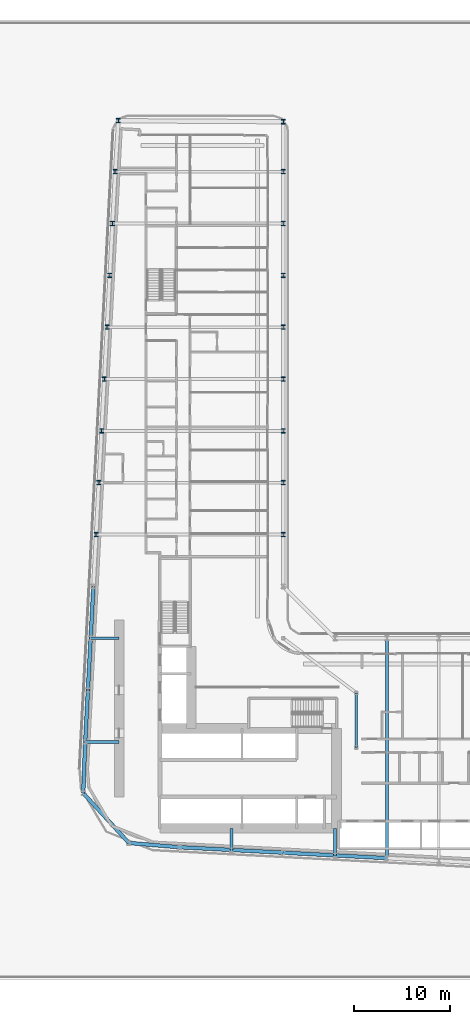
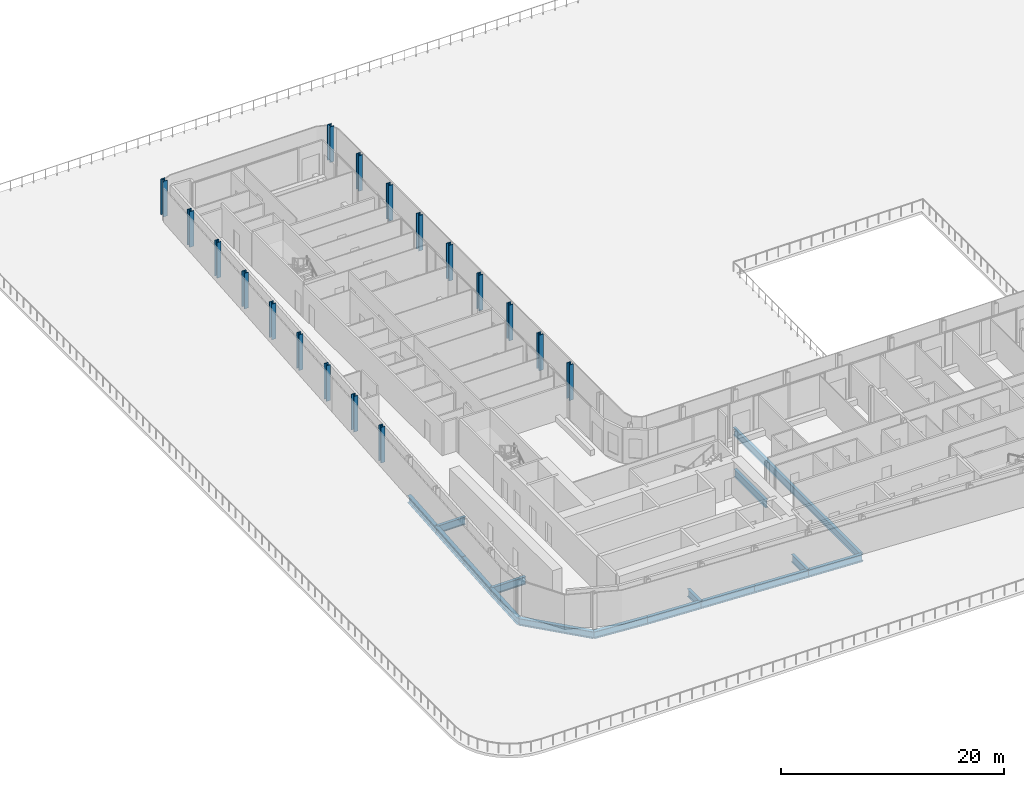
# One storey, part 3 of 27: 18 columns, 16 beams.
"""IFC4 building model written with IfcOpenShell, lengths in metres."""

from ifc_helpers import new_model, si_unit, direction, frame, origin, origin_2d, place, context, subcontext, project, spatial, i_section, extrude, material, material_profile, profile_set, type_object, element, save


model = new_model("IFC4")

# Units and contexts
model_context = context("Model", 3, precision=1e-05, world=origin(), true_north=direction((0.0, 1.0)))
body_context = subcontext(model_context, "Body", "Model", "MODEL_VIEW")
ifc_project = project(units=[si_unit("LENGTHUNIT", "METRE"), si_unit("AREAUNIT", "SQUARE_METRE"), si_unit("VOLUMEUNIT", "CUBIC_METRE"), si_unit("PLANEANGLEUNIT", "RADIAN"), si_unit("MASSUNIT", "GRAM", prefix="KILO")], contexts=[model_context])

# Site, building, storey
site_placement = place(None, origin())
site = spatial("IfcSite", under=ifc_project, at=site_placement, CompositionType="ELEMENT")
building_placement = place(site_placement, origin())
building = spatial("IfcBuilding", under=site, at=building_placement, Name="Kheshtan School and Residences Tower", CompositionType="ELEMENT")
storey_placement = place(building_placement, frame((0.0, 0.0, 30.5)))
storey = spatial("IfcBuildingStorey", under=building, at=storey_placement, Name="L06", CompositionType="ELEMENT", Elevation=30.5)

# Columns
ifc_material = material(Name="Steel ASTM A992 Grade 50", Category="steel")
ifc_material_profile_1 = material_profile(ifc_material, i_section(OverallWidth=0.424072265625, OverallDepth=0.47412109375, WebThickness=0.047607421875, FlangeThickness=0.0771484375, FilletRadius=0.01416015625, at=origin_2d()), Name="W360x634")
ifc_profile_set_1 = profile_set([ifc_material_profile_1], Name="Steel ASTM A992 Grade 50")
column_type = type_object("IfcColumnType", Name="Column C1 W360x634 ASTM A992 Grade 50", PredefinedType="COLUMN", material=ifc_profile_set_1)
for number, where, z_axis, x_axis, name in (
    (1, (28.10595703125, 56.39990234375, 0.0), (0.0, 0.0, 1.0), (1.0, 0.0, 0.0), "Column C080"),
    (2, (47.60009765625, 56.39990234375, 0.0), (0.0, 0.0, 1.0), (1.0, 0.0, 0.0), "Column C081"),
    (3, (28.389892578125, 61.800048828125, 0.0), (0.0, 0.0, 1.0), (1.0, 0.0, 0.0), "Column C082"),
    (4, (47.60009765625, 61.800048828125, 0.0), (0.0, 0.0, 1.0), (1.0, 0.0, 0.0), "Column C083"),
    (5, (28.674072265625, 67.199951171875, 0.0), (0.0, 0.0, 1.0), (1.0, 0.0, 0.0), "Column C084"),
    (6, (47.60009765625, 67.199951171875, 0.0), (0.0, 0.0, 1.0), (1.0, 0.0, 0.0), "Column C085"),
    (7, (28.9580078125, 72.60009765625, 0.0), (0.0, 0.0, 1.0), (1.0, 0.0, 0.0), "Column C086"),
    (8, (47.60009765625, 72.60009765625, 0.0), (0.0, 0.0, 1.0), (1.0, 0.0, 0.0), "Column C087"),
    (9, (29.242919921875, 78.0, 0.0), (0.0, 0.0, 1.0), (1.0, 0.0, 0.0), "Column C088"),
    (10, (47.60009765625, 78.0, 0.0), (0.0, 0.0, 1.0), (1.0, 0.0, 0.0), "Column C089"),
    (11, (29.527099609375, 83.39990234375, 0.0), (0.0, 0.0, 1.0), (1.0, 0.0, 0.0), "Column C090"),
    (12, (47.60009765625, 83.39990234375, 0.0), (0.0, 0.0, 1.0), (1.0, 0.0, 0.0), "Column C091"),
    (13, (29.81103515625, 88.800048828125, 0.0), (0.0, 0.0, 1.0), (1.0, 0.0, 0.0), "Column C098"),
    (14, (47.60009765625, 88.800048828125, 0.0), (0.0, 0.0, 1.0), (1.0, 0.0, 0.0), "Column C099"),
    (15, (30.094970703125, 94.199951171875, 0.0), (0.0, 0.0, 1.0), (1.0, 0.0, 0.0), "Column C106"),
    (16, (47.60009765625, 94.199951171875, 0.0), (0.0, 0.0, 1.0), (1.0, 0.0, 0.0), "Column C107"),
    (17, (47.614013671875, 99.39990234375, 0.0), (0.0, 0.0, 1.0), (1.0, 0.0, 0.0), "Column C109"),
    (18, (30.41796875, 99.508056640625, 0.0), (0.0, 0.0, 1.0), (1.0, 0.0, 0.0), "Column C119"),
):
    element("IfcColumn", number, at=place(storey_placement, frame(where, z_axis=z_axis, x_axis=x_axis)), inside=storey, type_object=column_type, Name=name, PredefinedType="COLUMN", context=body_context, shape_type="SweptSolid", body=[
        extrude(i_section(OverallWidth=0.424072265625, OverallDepth=0.47412109375, WebThickness=0.047607421875, FlangeThickness=0.0771484375, FilletRadius=0.01416015625, at=origin_2d()), origin(), (0.0, 0.0, 1.0), 3.89990234375),
    ])

# Beams
ifc_material_profile_2 = material_profile(ifc_material, i_section(OverallWidth=0.2919921875, OverallDepth=0.8349609375, WebThickness=0.013916015625, FlangeThickness=0.018798828125, FilletRadius=0.016845703125, at=origin_2d()), Name="W840x176")
ifc_profile_set_2 = profile_set([ifc_material_profile_2], Name="Steel ASTM A992 Grade 50")
beam_type_1 = type_object("IfcBeamType", Name="Beam FB8 W840x176 ASTM A992 Grade 50", PredefinedType="BEAM", material=ifc_profile_set_2)
beam_1_placement = place(storey_placement, frame((58.39990234375, 45.60009765625, -0.717529296875), z_axis=(0.0, -1.0, 0.0), x_axis=(1.0, 0.0, 0.0)))
element("IfcBeam", 19, at=beam_1_placement, inside=storey, type_object=beam_type_1, Name="Floor beam C062", PredefinedType="BEAM", context=body_context, shape_type="SweptSolid", body=[
    extrude(i_section(OverallWidth=0.2919921875, OverallDepth=0.8349609375, WebThickness=0.013916015625, FlangeThickness=0.018798828125, FilletRadius=0.016845703125, at=origin_2d()), origin(), (0.0, 0.0, 1.0), 22.905029296875),
])
beam_2_placement = place(storey_placement, frame((53.0, 22.97998046875, -0.717529296875), z_axis=(0.0, 1.0, 0.0), x_axis=(-1.0, 0.0, 0.0)))
element("IfcBeam", 20, at=beam_2_placement, inside=storey, type_object=beam_type_1, Name="Floor beam C019", PredefinedType="BEAM", context=body_context, shape_type="SweptSolid", body=[
    extrude(i_section(OverallWidth=0.2919921875, OverallDepth=0.8349609375, WebThickness=0.013916015625, FlangeThickness=0.018798828125, FilletRadius=0.016845703125, at=origin_2d()), origin(), (0.0, 0.0, 1.0), 2.820068359375),
])
beam_3_placement = place(storey_placement, frame((42.199951171875, 23.548095703125, -0.717529296875), z_axis=(0.0, 1.0, 0.0), x_axis=(-1.0, 0.0, 0.0)))
element("IfcBeam", 21, at=beam_3_placement, inside=storey, type_object=beam_type_1, Name="Floor beam C021", PredefinedType="BEAM", context=body_context, shape_type="SweptSolid", body=[
    extrude(i_section(OverallWidth=0.2919921875, OverallDepth=0.8349609375, WebThickness=0.013916015625, FlangeThickness=0.018798828125, FilletRadius=0.016845703125, at=origin_2d()), origin(), (0.0, 0.0, 1.0), 2.251953125),
])
beam_4_placement = place(storey_placement, frame((26.968994140625, 34.800048828125, -0.717529296875), z_axis=(1.0, 0.0, 0.0), x_axis=(0.0, 1.0, 0.0)))
element("IfcBeam", 22, at=beam_4_placement, inside=storey, type_object=beam_type_1, Name="Floor beam C052", PredefinedType="BEAM", context=body_context, shape_type="SweptSolid", body=[
    extrude(i_section(OverallWidth=0.2919921875, OverallDepth=0.8349609375, WebThickness=0.013916015625, FlangeThickness=0.018798828125, FilletRadius=0.016845703125, at=origin_2d()), origin(), (0.0, 0.0, 1.0), 3.531005859375),
])
beam_5_placement = place(storey_placement, frame((27.537109375, 45.60009765625, -0.717529296875), z_axis=(1.0, 0.0, 0.0), x_axis=(0.0, 1.0, 0.0)))
element("IfcBeam", 23, at=beam_5_placement, inside=storey, type_object=beam_type_1, Name="Floor beam C059", PredefinedType="BEAM", context=body_context, shape_type="SweptSolid", body=[
    extrude(i_section(OverallWidth=0.2919921875, OverallDepth=0.8349609375, WebThickness=0.013916015625, FlangeThickness=0.018798828125, FilletRadius=0.016845703125, at=origin_2d()), origin(), (0.0, 0.0, 1.0), 2.962890625),
])
beam_6_placement = place(storey_placement, frame((55.199951171875, 34.23193359375, -0.717529296875), z_axis=(0.0, 1.0, 0.0), x_axis=(-1.0, 0.0, 0.0)))
element("IfcBeam", 24, at=beam_6_placement, inside=storey, type_object=beam_type_1, Name="Floor beam IC", PredefinedType="BEAM", context=body_context, shape_type="SweptSolid", body=[
    extrude(i_section(OverallWidth=0.2919921875, OverallDepth=0.8349609375, WebThickness=0.013916015625, FlangeThickness=0.018798828125, FilletRadius=0.016845703125, at=origin_2d()), origin(), (0.0, 0.0, 1.0), 5.68408203125),
])
ifc_material_profile_3 = material_profile(ifc_material, i_section(OverallWidth=0.381103515625, OverallDepth=0.77294921875, WebThickness=0.0166015625, FlangeThickness=0.027099609375, FilletRadius=0.023193359375, at=origin_2d()), Name="W760x257")
ifc_profile_set_3 = profile_set([ifc_material_profile_3], Name="Steel ASTM A992 Grade 50")
beam_type_2 = type_object("IfcBeamType", Name="Beam SP6 W760x257 ASTM A992 Grade 50", PredefinedType="BEAM", material=ifc_profile_set_3)
for number, where, z_axis, x_axis, name in (
    (25, (58.39990234375, 22.695068359375, -0.6865234375), (-0.998610961136, 0.052689166816, 0.0), (-0.052689166816, -0.998610961136, 0.0), "Spandrel beam C018-C019"),
    (26, (53.0, 22.97998046875, -0.6865234375), (-0.998620447272, 0.05250906864, 0.0), (-0.05250906864, -0.998620447272, 0.0), "Spandrel beam C019-C020"),
):
    element("IfcBeam", number, at=place(storey_placement, frame(where, z_axis=z_axis, x_axis=x_axis)), inside=storey, type_object=beam_type_2, Name=name, PredefinedType="BEAM", context=body_context, shape_type="SweptSolid", body=[
        extrude(i_section(OverallWidth=0.381103515625, OverallDepth=0.77294921875, WebThickness=0.0166015625, FlangeThickness=0.027099609375, FilletRadius=0.023193359375, at=origin_2d()), origin(), (0.0, 0.0, 1.0), 5.407470703125),
    ])
beam_7_placement = place(storey_placement, frame((47.60009765625, 23.263916015625, -0.6865234375), z_axis=(-0.998618203458, 0.052551724256, 0.0), x_axis=(-0.052551724256, -0.998618203458, 0.0)))
element("IfcBeam", 27, at=beam_7_placement, inside=storey, type_object=beam_type_2, Name="Spandrel beam C020-C021", PredefinedType="BEAM", context=body_context, shape_type="SweptSolid", body=[
    extrude(i_section(OverallWidth=0.381103515625, OverallDepth=0.77294921875, WebThickness=0.0166015625, FlangeThickness=0.027099609375, FilletRadius=0.023193359375, at=origin_2d()), origin(), (0.0, 0.0, 1.0), 5.40771484375),
])
beam_8_placement = place(storey_placement, frame((42.199951171875, 23.548095703125, -0.6865234375), z_axis=(-0.998620447272, 0.05250906864, 0.0), x_axis=(-0.05250906864, -0.998620447272, 0.0)))
element("IfcBeam", 28, at=beam_8_placement, inside=storey, type_object=beam_type_2, Name="Spandrel beam C021-C022", PredefinedType="BEAM", context=body_context, shape_type="SweptSolid", body=[
    extrude(i_section(OverallWidth=0.381103515625, OverallDepth=0.77294921875, WebThickness=0.0166015625, FlangeThickness=0.027099609375, FilletRadius=0.023193359375, at=origin_2d()), origin(), (0.0, 0.0, 1.0), 5.407470703125),
])
beam_9_placement = place(storey_placement, frame((36.800048828125, 23.83203125, -0.6865234375), z_axis=(-0.996498230975, 0.083613848512, 0.0), x_axis=(-0.083613848512, -0.996498230975, 0.0)))
element("IfcBeam", 29, at=beam_9_placement, inside=storey, type_object=beam_type_2, Name="Spandrel beam C022-C028", PredefinedType="BEAM", context=body_context, shape_type="SweptSolid", body=[
    extrude(i_section(OverallWidth=0.381103515625, OverallDepth=0.77294921875, WebThickness=0.0166015625, FlangeThickness=0.027099609375, FilletRadius=0.023193359375, at=origin_2d()), origin(), (0.0, 0.0, 1.0), 5.296630859375),
])
beam_10_placement = place(storey_placement, frame((31.52197265625, 24.27490234375, -0.6865234375), z_axis=(-0.675974218658, 0.736925271456, 0.0), x_axis=(-0.736925271456, -0.675974218658, 0.0)))
element("IfcBeam", 30, at=beam_10_placement, inside=storey, type_object=beam_type_2, Name="Spandrel beam C028-C041", PredefinedType="BEAM", context=body_context, shape_type="SweptSolid", body=[
    extrude(i_section(OverallWidth=0.381103515625, OverallDepth=0.77294921875, WebThickness=0.0166015625, FlangeThickness=0.027099609375, FilletRadius=0.023193359375, at=origin_2d()), origin(), (0.0, 0.0, 1.0), 7.041748046875),
])
beam_11_placement = place(storey_placement, frame((26.761962890625, 29.464111328125, -0.6865234375), z_axis=(0.038770243067, 0.999248151488, 0.0), x_axis=(-0.999248151488, 0.038770243067, 0.0)))
element("IfcBeam", 31, at=beam_11_placement, inside=storey, type_object=beam_type_2, Name="Spandrel beam C041-C052", PredefinedType="BEAM", context=body_context, shape_type="SweptSolid", body=[
    extrude(i_section(OverallWidth=0.381103515625, OverallDepth=0.77294921875, WebThickness=0.0166015625, FlangeThickness=0.027099609375, FilletRadius=0.023193359375, at=origin_2d()), origin(), (0.0, 0.0, 1.0), 5.33984375),
])
beam_12_placement = place(storey_placement, frame((26.968994140625, 34.800048828125, -0.6865234375), z_axis=(0.05250906864, 0.998620447272, 0.0), x_axis=(-0.998620447272, 0.05250906864, 0.0)))
element("IfcBeam", 32, at=beam_12_placement, inside=storey, type_object=beam_type_2, Name="Spandrel beam C052-C056", PredefinedType="BEAM", context=body_context, shape_type="SweptSolid", body=[
    extrude(i_section(OverallWidth=0.381103515625, OverallDepth=0.77294921875, WebThickness=0.0166015625, FlangeThickness=0.027099609375, FilletRadius=0.023193359375, at=origin_2d()), origin(), (0.0, 0.0, 1.0), 5.407470703125),
])
beam_13_placement = place(storey_placement, frame((27.2529296875, 40.199951171875, -0.6865234375), z_axis=(0.052551724256, 0.998618203458, 0.0), x_axis=(-0.998618203458, 0.052551724256, 0.0)))
element("IfcBeam", 33, at=beam_13_placement, inside=storey, type_object=beam_type_2, Name="Spandrel beam C056-C059", PredefinedType="BEAM", context=body_context, shape_type="SweptSolid", body=[
    extrude(i_section(OverallWidth=0.381103515625, OverallDepth=0.77294921875, WebThickness=0.0166015625, FlangeThickness=0.027099609375, FilletRadius=0.023193359375, at=origin_2d()), origin(), (0.0, 0.0, 1.0), 5.40771484375),
])
beam_14_placement = place(storey_placement, frame((27.537109375, 45.60009765625, -0.6865234375), z_axis=(0.052689166816, 0.998610961136, 0.0), x_axis=(-0.998610961136, 0.052689166816, 0.0)))
element("IfcBeam", 34, at=beam_14_placement, inside=storey, type_object=beam_type_2, Name="Spandrel beam C059-C078", PredefinedType="BEAM", context=body_context, shape_type="SweptSolid", body=[
    extrude(i_section(OverallWidth=0.381103515625, OverallDepth=0.77294921875, WebThickness=0.0166015625, FlangeThickness=0.027099609375, FilletRadius=0.023193359375, at=origin_2d()), origin(), (0.0, 0.0, 1.0), 5.407470703125),
])

save(model, "model.ifc")
